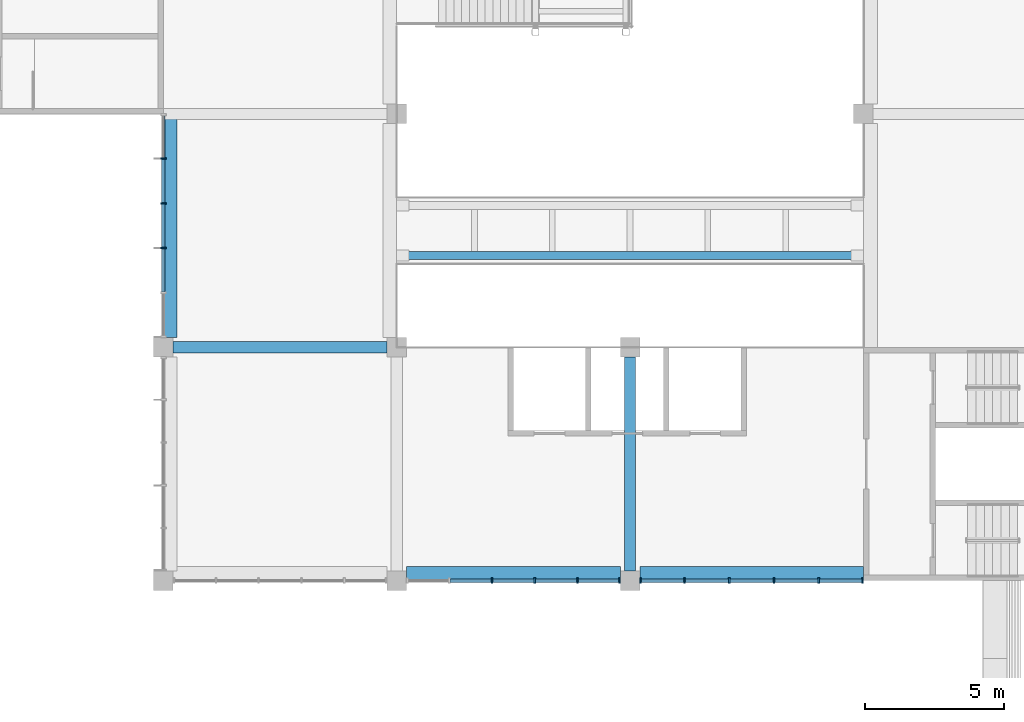
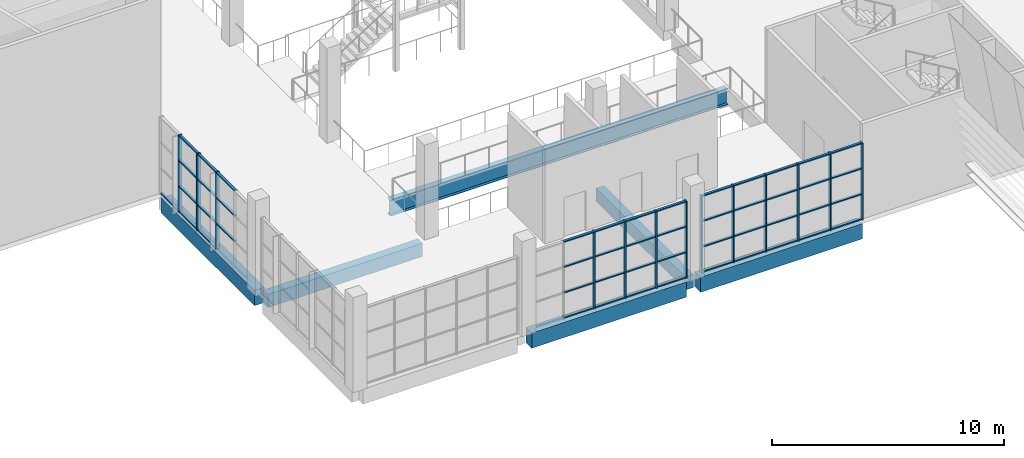
# One storey, part 6 of 82: 61 members, 6 beams, 3 elements without a shape of their own.
"""IFC4 building model written with IfcOpenShell, lengths in metres."""

from ifc_helpers import new_model, si_unit, direction, frame, origin, origin_2d, place, context, subcontext, project, spatial, rectangle, i_section, extrude, material, material_profile, profile_set, type_object, element, aggregate, save


model = new_model("IFC4")

# Units and contexts
model_context = context("Model", 3, precision=1e-05, world=origin(), true_north=direction((0.0, 1.0)))
body_context = subcontext(model_context, "Body", "Model", "MODEL_VIEW")
ifc_project = project(units=[si_unit("LENGTHUNIT", "METRE"), si_unit("AREAUNIT", "SQUARE_METRE"), si_unit("VOLUMEUNIT", "CUBIC_METRE"), si_unit("PLANEANGLEUNIT", "RADIAN"), si_unit("MASSUNIT", "GRAM", prefix="KILO")], contexts=[model_context])

# Site, building, storey
site_placement = place(None, origin())
site = spatial("IfcSite", under=ifc_project, at=site_placement, CompositionType="ELEMENT")
building_placement = place(site_placement, origin())
building = spatial("IfcBuilding", under=site, at=building_placement, Name="Almond Square Museum", CompositionType="ELEMENT")
storey_placement = place(building_placement, frame((0.0, 0.0, 20.0)))
storey = spatial("IfcBuildingStorey", under=building, at=storey_placement, Name="L03", CompositionType="ELEMENT", Elevation=20.0)

# Curtain wall, members
ifc_material_1 = material(Name="Aluminium and laminated glass", Category="aluminium")
curtain_wall_type = type_object("IfcCurtainWallType", Name="Unitised curtain wall 1500 module", PredefinedType="NOTDEFINED", material=ifc_material_1)
curtain_wall_1_placement = place(storey_placement, origin())
curtain_wall_1 = element("IfcCurtainWall", 1, at=curtain_wall_1_placement, inside=storey, type_object=curtain_wall_type, Name="Curtain wall CW-35", PredefinedType="NOTDEFINED")
ifc_material_2 = material(Name="Anodised aluminium", Category="aluminium")
ifc_material_profile_1 = material_profile(ifc_material_2, rectangle(XDim=0.199951171875, YDim=0.06005859375, at=origin_2d()))
ifc_profile_set_1 = profile_set([ifc_material_profile_1], Name="Anodised aluminium")
member_type_1 = type_object("IfcMemberType", Name="Aluminium mullion 60 x 200", PredefinedType="MULLION", material=ifc_profile_set_1)
member_1_placement = place(storey_placement, frame((73.199951171875, 79.169921875, 0.0), z_axis=(0.0, 0.0, 1.0), x_axis=(-1.0, 0.0, 0.0)))
member_1 = element("IfcMember", 2, at=member_1_placement, type_object=member_type_1, Name="CW-35 mullion 3", PredefinedType="MULLION", context=body_context, shape_type="SweptSolid", body=[
    extrude(rectangle(XDim=0.199951171875, YDim=0.06005859375, at=origin_2d()), origin(), (0.0, 0.0, 1.0), 4.050048828125),
])
member_2_placement = place(storey_placement, frame((73.199951171875, 80.780029296875, 0.0), z_axis=(0.0, 0.0, 1.0), x_axis=(-1.0, 0.0, 0.0)))
member_2 = element("IfcMember", 3, at=member_2_placement, type_object=member_type_1, Name="CW-35 mullion 4", PredefinedType="MULLION", context=body_context, shape_type="SweptSolid", body=[
    extrude(rectangle(XDim=0.199951171875, YDim=0.06005859375, at=origin_2d()), origin(), (0.0, 0.0, 1.0), 4.050048828125),
])
member_3_placement = place(storey_placement, frame((73.199951171875, 82.389892578125, 0.0), z_axis=(0.0, 0.0, 1.0), x_axis=(-1.0, 0.0, 0.0)))
member_3 = element("IfcMember", 4, at=member_3_placement, type_object=member_type_1, Name="CW-35 mullion 5", PredefinedType="MULLION", context=body_context, shape_type="SweptSolid", body=[
    extrude(rectangle(XDim=0.199951171875, YDim=0.06005859375, at=origin_2d()), origin(), (0.0, 0.0, 1.0), 4.050048828125),
])

curtain_wall_2_placement = place(storey_placement, origin())
curtain_wall_2 = element("IfcCurtainWall", 5, at=curtain_wall_2_placement, inside=storey, type_object=curtain_wall_type, Name="Curtain wall CW-38", PredefinedType="NOTDEFINED")
member_4_placement = place(storey_placement, frame((85.030029296875, 67.199951171875, 0.0), z_axis=(0.0, 0.0, 1.0), x_axis=(0.0, 1.0, 0.0)))
member_4 = element("IfcMember", 6, at=member_4_placement, type_object=member_type_1, Name="CW-38 mullion 3", PredefinedType="MULLION", context=body_context, shape_type="SweptSolid", body=[
    extrude(rectangle(XDim=0.199951171875, YDim=0.06005859375, at=origin_2d()), origin(), (0.0, 0.0, 1.0), 4.050048828125),
])
member_5_placement = place(storey_placement, frame((86.570068359375, 67.199951171875, 0.0), z_axis=(0.0, 0.0, 1.0), x_axis=(0.0, 1.0, 0.0)))
member_5 = element("IfcMember", 7, at=member_5_placement, type_object=member_type_1, Name="CW-38 mullion 4", PredefinedType="MULLION", context=body_context, shape_type="SweptSolid", body=[
    extrude(rectangle(XDim=0.199951171875, YDim=0.06005859375, at=origin_2d()), origin(), (0.0, 0.0, 1.0), 4.050048828125),
])
member_6_placement = place(storey_placement, frame((88.110107421875, 67.199951171875, 0.0), z_axis=(0.0, 0.0, 1.0), x_axis=(0.0, 1.0, 0.0)))
member_6 = element("IfcMember", 8, at=member_6_placement, type_object=member_type_1, Name="CW-38 mullion 5", PredefinedType="MULLION", context=body_context, shape_type="SweptSolid", body=[
    extrude(rectangle(XDim=0.199951171875, YDim=0.06005859375, at=origin_2d()), origin(), (0.0, 0.0, 1.0), 4.050048828125),
])
member_7_placement = place(storey_placement, frame((89.6201171875, 67.199951171875, 0.0), z_axis=(0.0, 0.0, 1.0), x_axis=(0.0, 1.0, 0.0)))
member_7 = element("IfcMember", 9, at=member_7_placement, type_object=member_type_1, Name="CW-38 mullion 6", PredefinedType="MULLION", context=body_context, shape_type="SweptSolid", body=[
    extrude(rectangle(XDim=0.199951171875, YDim=0.06005859375, at=origin_2d()), origin(), (0.0, 0.0, 1.0), 4.050048828125),
])

curtain_wall_3_placement = place(storey_placement, origin())
curtain_wall_3 = element("IfcCurtainWall", 10, at=curtain_wall_3_placement, inside=storey, type_object=curtain_wall_type, Name="Curtain wall CW-39", PredefinedType="NOTDEFINED")
member_8_placement = place(storey_placement, frame((90.3798828125, 67.199951171875, 0.0), z_axis=(0.0, 0.0, 1.0), x_axis=(0.0, 1.0, 0.0)))
member_8 = element("IfcMember", 11, at=member_8_placement, type_object=member_type_1, Name="CW-39 mullion 1", PredefinedType="MULLION", context=body_context, shape_type="SweptSolid", body=[
    extrude(rectangle(XDim=0.199951171875, YDim=0.06005859375, at=origin_2d()), origin(), (0.0, 0.0, 1.0), 4.050048828125),
])
member_9_placement = place(storey_placement, frame((91.9599609375, 67.199951171875, 0.0), z_axis=(0.0, 0.0, 1.0), x_axis=(0.0, 1.0, 0.0)))
member_9 = element("IfcMember", 12, at=member_9_placement, type_object=member_type_1, Name="CW-39 mullion 2", PredefinedType="MULLION", context=body_context, shape_type="SweptSolid", body=[
    extrude(rectangle(XDim=0.199951171875, YDim=0.06005859375, at=origin_2d()), origin(), (0.0, 0.0, 1.0), 4.050048828125),
])
member_10_placement = place(storey_placement, frame((93.570068359375, 67.199951171875, 0.0), z_axis=(0.0, 0.0, 1.0), x_axis=(0.0, 1.0, 0.0)))
member_10 = element("IfcMember", 13, at=member_10_placement, type_object=member_type_1, Name="CW-39 mullion 3", PredefinedType="MULLION", context=body_context, shape_type="SweptSolid", body=[
    extrude(rectangle(XDim=0.199951171875, YDim=0.06005859375, at=origin_2d()), origin(), (0.0, 0.0, 1.0), 4.050048828125),
])
member_11_placement = place(storey_placement, frame((95.179931640625, 67.199951171875, 0.0), z_axis=(0.0, 0.0, 1.0), x_axis=(0.0, 1.0, 0.0)))
member_11 = element("IfcMember", 14, at=member_11_placement, type_object=member_type_1, Name="CW-39 mullion 4", PredefinedType="MULLION", context=body_context, shape_type="SweptSolid", body=[
    extrude(rectangle(XDim=0.199951171875, YDim=0.06005859375, at=origin_2d()), origin(), (0.0, 0.0, 1.0), 4.050048828125),
])
member_12_placement = place(storey_placement, frame((96.7900390625, 67.199951171875, 0.0), z_axis=(0.0, 0.0, 1.0), x_axis=(0.0, 1.0, 0.0)))
member_12 = element("IfcMember", 15, at=member_12_placement, type_object=member_type_1, Name="CW-39 mullion 5", PredefinedType="MULLION", context=body_context, shape_type="SweptSolid", body=[
    extrude(rectangle(XDim=0.199951171875, YDim=0.06005859375, at=origin_2d()), origin(), (0.0, 0.0, 1.0), 4.050048828125),
])
member_13_placement = place(storey_placement, frame((98.3701171875, 67.199951171875, 0.0), z_axis=(0.0, 0.0, 1.0), x_axis=(0.0, 1.0, 0.0)))
member_13 = element("IfcMember", 16, at=member_13_placement, type_object=member_type_1, Name="CW-39 mullion 6", PredefinedType="MULLION", context=body_context, shape_type="SweptSolid", body=[
    extrude(rectangle(XDim=0.199951171875, YDim=0.06005859375, at=origin_2d()), origin(), (0.0, 0.0, 1.0), 4.050048828125),
])

# Member
ifc_material_3 = material(Name="Anodised aluminium", Category="aluminium")
ifc_material_profile_2 = material_profile(ifc_material_3, rectangle(XDim=0.1201171875, YDim=0.06005859375, at=origin_2d()))
ifc_profile_set_2 = profile_set([ifc_material_profile_2], Name="Anodised aluminium")
member_type_2 = type_object("IfcMemberType", Name="Aluminium transom 60 x 120", PredefinedType="USERDEFINED", material=ifc_profile_set_2)
member_14_placement = place(storey_placement, frame((73.199951171875, 77.590087890625, 1.35009765625), z_axis=(0.0, 1.0, 0.0), x_axis=(-1.0, 0.0, 0.0)))
member_14 = element("IfcMember", 17, at=member_14_placement, type_object=member_type_2, Name="CW-35 transom 2.2", ObjectType="TRANSOM", PredefinedType="USERDEFINED", context=body_context, shape_type="SweptSolid", body=[
    extrude(rectangle(XDim=0.1201171875, YDim=0.06005859375, at=origin_2d()), origin(), (0.0, 0.0, 1.0), 1.5498046875),
])

member_15_placement = place(storey_placement, frame((73.199951171875, 77.590087890625, 2.699951171875), z_axis=(0.0, 1.0, 0.0), x_axis=(-1.0, 0.0, 0.0)))
member_15 = element("IfcMember", 18, at=member_15_placement, type_object=member_type_2, Name="CW-35 transom 2.3", ObjectType="TRANSOM", PredefinedType="USERDEFINED", context=body_context, shape_type="SweptSolid", body=[
    extrude(rectangle(XDim=0.1201171875, YDim=0.06005859375, at=origin_2d()), origin(), (0.0, 0.0, 1.0), 1.5498046875),
])

member_16_placement = place(storey_placement, frame((73.199951171875, 77.590087890625, 4.02001953125), z_axis=(0.0, 1.0, 0.0), x_axis=(-1.0, 0.0, 0.0)))
member_16 = element("IfcMember", 19, at=member_16_placement, type_object=member_type_2, Name="CW-35 transom 2.4", ObjectType="TRANSOM", PredefinedType="USERDEFINED", context=body_context, shape_type="SweptSolid", body=[
    extrude(rectangle(XDim=0.1201171875, YDim=0.06005859375, at=origin_2d()), origin(), (0.0, 0.0, 1.0), 1.5498046875),
])

member_17_placement = place(storey_placement, frame((73.199951171875, 79.199951171875, 0.030029296875), z_axis=(0.0, 1.0, 0.0), x_axis=(-1.0, 0.0, 0.0)))
member_17 = element("IfcMember", 20, at=member_17_placement, type_object=member_type_2, Name="CW-35 transom 3.1", ObjectType="TRANSOM", PredefinedType="USERDEFINED", context=body_context, shape_type="SweptSolid", body=[
    extrude(rectangle(XDim=0.1201171875, YDim=0.06005859375, at=origin_2d()), origin(), (0.0, 0.0, 1.0), 1.550048828125),
])

member_18_placement = place(storey_placement, frame((73.199951171875, 79.199951171875, 1.35009765625), z_axis=(0.0, 1.0, 0.0), x_axis=(-1.0, 0.0, 0.0)))
member_18 = element("IfcMember", 21, at=member_18_placement, type_object=member_type_2, Name="CW-35 transom 3.2", ObjectType="TRANSOM", PredefinedType="USERDEFINED", context=body_context, shape_type="SweptSolid", body=[
    extrude(rectangle(XDim=0.1201171875, YDim=0.06005859375, at=origin_2d()), origin(), (0.0, 0.0, 1.0), 1.550048828125),
])

member_19_placement = place(storey_placement, frame((73.199951171875, 79.199951171875, 2.699951171875), z_axis=(0.0, 1.0, 0.0), x_axis=(-1.0, 0.0, 0.0)))
member_19 = element("IfcMember", 22, at=member_19_placement, type_object=member_type_2, Name="CW-35 transom 3.3", ObjectType="TRANSOM", PredefinedType="USERDEFINED", context=body_context, shape_type="SweptSolid", body=[
    extrude(rectangle(XDim=0.1201171875, YDim=0.06005859375, at=origin_2d()), origin(), (0.0, 0.0, 1.0), 1.550048828125),
])

member_20_placement = place(storey_placement, frame((73.199951171875, 79.199951171875, 4.02001953125), z_axis=(0.0, 1.0, 0.0), x_axis=(-1.0, 0.0, 0.0)))
member_20 = element("IfcMember", 23, at=member_20_placement, type_object=member_type_2, Name="CW-35 transom 3.4", ObjectType="TRANSOM", PredefinedType="USERDEFINED", context=body_context, shape_type="SweptSolid", body=[
    extrude(rectangle(XDim=0.1201171875, YDim=0.06005859375, at=origin_2d()), origin(), (0.0, 0.0, 1.0), 1.550048828125),
])

member_21_placement = place(storey_placement, frame((73.199951171875, 80.81005859375, 0.030029296875), z_axis=(0.0, 1.0, 0.0), x_axis=(-1.0, 0.0, 0.0)))
member_21 = element("IfcMember", 24, at=member_21_placement, type_object=member_type_2, Name="CW-35 transom 4.1", ObjectType="TRANSOM", PredefinedType="USERDEFINED", context=body_context, shape_type="SweptSolid", body=[
    extrude(rectangle(XDim=0.1201171875, YDim=0.06005859375, at=origin_2d()), origin(), (0.0, 0.0, 1.0), 1.550048828125),
])

member_22_placement = place(storey_placement, frame((73.199951171875, 80.81005859375, 1.35009765625), z_axis=(0.0, 1.0, 0.0), x_axis=(-1.0, 0.0, 0.0)))
member_22 = element("IfcMember", 25, at=member_22_placement, type_object=member_type_2, Name="CW-35 transom 4.2", ObjectType="TRANSOM", PredefinedType="USERDEFINED", context=body_context, shape_type="SweptSolid", body=[
    extrude(rectangle(XDim=0.1201171875, YDim=0.06005859375, at=origin_2d()), origin(), (0.0, 0.0, 1.0), 1.550048828125),
])

member_23_placement = place(storey_placement, frame((73.199951171875, 80.81005859375, 2.699951171875), z_axis=(0.0, 1.0, 0.0), x_axis=(-1.0, 0.0, 0.0)))
member_23 = element("IfcMember", 26, at=member_23_placement, type_object=member_type_2, Name="CW-35 transom 4.3", ObjectType="TRANSOM", PredefinedType="USERDEFINED", context=body_context, shape_type="SweptSolid", body=[
    extrude(rectangle(XDim=0.1201171875, YDim=0.06005859375, at=origin_2d()), origin(), (0.0, 0.0, 1.0), 1.550048828125),
])

member_24_placement = place(storey_placement, frame((73.199951171875, 80.81005859375, 4.02001953125), z_axis=(0.0, 1.0, 0.0), x_axis=(-1.0, 0.0, 0.0)))
member_24 = element("IfcMember", 27, at=member_24_placement, type_object=member_type_2, Name="CW-35 transom 4.4", ObjectType="TRANSOM", PredefinedType="USERDEFINED", context=body_context, shape_type="SweptSolid", body=[
    extrude(rectangle(XDim=0.1201171875, YDim=0.06005859375, at=origin_2d()), origin(), (0.0, 0.0, 1.0), 1.550048828125),
])

member_25_placement = place(storey_placement, frame((73.199951171875, 82.419921875, 0.030029296875), z_axis=(0.0, 1.0, 0.0), x_axis=(-1.0, 0.0, 0.0)))
member_25 = element("IfcMember", 28, at=member_25_placement, type_object=member_type_2, Name="CW-35 transom 5.1", ObjectType="TRANSOM", PredefinedType="USERDEFINED", context=body_context, shape_type="SweptSolid", body=[
    extrude(rectangle(XDim=0.1201171875, YDim=0.06005859375, at=origin_2d()), origin(), (0.0, 0.0, 1.0), 1.52001953125),
])

aggregate(curtain_wall_1, [member_1, member_2, member_3, member_14, member_15, member_16, member_17, member_18, member_19, member_20, member_21, member_22, member_23, member_24, member_25])

member_26_placement = place(storey_placement, frame((83.52001953125, 67.199951171875, 0.030029296875), z_axis=(1.0, 0.0, 0.0), x_axis=(0.0, 1.0, 0.0)))
member_26 = element("IfcMember", 29, at=member_26_placement, type_object=member_type_2, Name="CW-38 transom 2.1", ObjectType="TRANSOM", PredefinedType="USERDEFINED", context=body_context, shape_type="SweptSolid", body=[
    extrude(rectangle(XDim=0.1201171875, YDim=0.06005859375, at=origin_2d()), origin(), (0.0, 0.0, 1.0), 1.47998046875),
])

member_27_placement = place(storey_placement, frame((83.52001953125, 67.199951171875, 1.35009765625), z_axis=(1.0, 0.0, 0.0), x_axis=(0.0, 1.0, 0.0)))
member_27 = element("IfcMember", 30, at=member_27_placement, type_object=member_type_2, Name="CW-38 transom 2.2", ObjectType="TRANSOM", PredefinedType="USERDEFINED", context=body_context, shape_type="SweptSolid", body=[
    extrude(rectangle(XDim=0.1201171875, YDim=0.06005859375, at=origin_2d()), origin(), (0.0, 0.0, 1.0), 1.47998046875),
])

member_28_placement = place(storey_placement, frame((83.52001953125, 67.199951171875, 2.699951171875), z_axis=(1.0, 0.0, 0.0), x_axis=(0.0, 1.0, 0.0)))
member_28 = element("IfcMember", 31, at=member_28_placement, type_object=member_type_2, Name="CW-38 transom 2.3", ObjectType="TRANSOM", PredefinedType="USERDEFINED", context=body_context, shape_type="SweptSolid", body=[
    extrude(rectangle(XDim=0.1201171875, YDim=0.06005859375, at=origin_2d()), origin(), (0.0, 0.0, 1.0), 1.47998046875),
])

member_29_placement = place(storey_placement, frame((83.52001953125, 67.199951171875, 4.02001953125), z_axis=(1.0, 0.0, 0.0), x_axis=(0.0, 1.0, 0.0)))
member_29 = element("IfcMember", 32, at=member_29_placement, type_object=member_type_2, Name="CW-38 transom 2.4", ObjectType="TRANSOM", PredefinedType="USERDEFINED", context=body_context, shape_type="SweptSolid", body=[
    extrude(rectangle(XDim=0.1201171875, YDim=0.06005859375, at=origin_2d()), origin(), (0.0, 0.0, 1.0), 1.47998046875),
])

member_30_placement = place(storey_placement, frame((85.06005859375, 67.199951171875, 0.030029296875), z_axis=(1.0, 0.0, 0.0), x_axis=(0.0, 1.0, 0.0)))
member_30 = element("IfcMember", 33, at=member_30_placement, type_object=member_type_2, Name="CW-38 transom 3.1", ObjectType="TRANSOM", PredefinedType="USERDEFINED", context=body_context, shape_type="SweptSolid", body=[
    extrude(rectangle(XDim=0.1201171875, YDim=0.06005859375, at=origin_2d()), origin(), (0.0, 0.0, 1.0), 1.47998046875),
])

member_31_placement = place(storey_placement, frame((85.06005859375, 67.199951171875, 1.35009765625), z_axis=(1.0, 0.0, 0.0), x_axis=(0.0, 1.0, 0.0)))
member_31 = element("IfcMember", 34, at=member_31_placement, type_object=member_type_2, Name="CW-38 transom 3.2", ObjectType="TRANSOM", PredefinedType="USERDEFINED", context=body_context, shape_type="SweptSolid", body=[
    extrude(rectangle(XDim=0.1201171875, YDim=0.06005859375, at=origin_2d()), origin(), (0.0, 0.0, 1.0), 1.47998046875),
])

member_32_placement = place(storey_placement, frame((85.06005859375, 67.199951171875, 2.699951171875), z_axis=(1.0, 0.0, 0.0), x_axis=(0.0, 1.0, 0.0)))
member_32 = element("IfcMember", 35, at=member_32_placement, type_object=member_type_2, Name="CW-38 transom 3.3", ObjectType="TRANSOM", PredefinedType="USERDEFINED", context=body_context, shape_type="SweptSolid", body=[
    extrude(rectangle(XDim=0.1201171875, YDim=0.06005859375, at=origin_2d()), origin(), (0.0, 0.0, 1.0), 1.47998046875),
])

member_33_placement = place(storey_placement, frame((85.06005859375, 67.199951171875, 4.02001953125), z_axis=(1.0, 0.0, 0.0), x_axis=(0.0, 1.0, 0.0)))
member_33 = element("IfcMember", 36, at=member_33_placement, type_object=member_type_2, Name="CW-38 transom 3.4", ObjectType="TRANSOM", PredefinedType="USERDEFINED", context=body_context, shape_type="SweptSolid", body=[
    extrude(rectangle(XDim=0.1201171875, YDim=0.06005859375, at=origin_2d()), origin(), (0.0, 0.0, 1.0), 1.47998046875),
])

member_34_placement = place(storey_placement, frame((86.60009765625, 67.199951171875, 0.030029296875), z_axis=(1.0, 0.0, 0.0), x_axis=(0.0, 1.0, 0.0)))
member_34 = element("IfcMember", 37, at=member_34_placement, type_object=member_type_2, Name="CW-38 transom 4.1", ObjectType="TRANSOM", PredefinedType="USERDEFINED", context=body_context, shape_type="SweptSolid", body=[
    extrude(rectangle(XDim=0.1201171875, YDim=0.06005859375, at=origin_2d()), origin(), (0.0, 0.0, 1.0), 1.47998046875),
])

member_35_placement = place(storey_placement, frame((86.60009765625, 67.199951171875, 1.35009765625), z_axis=(1.0, 0.0, 0.0), x_axis=(0.0, 1.0, 0.0)))
member_35 = element("IfcMember", 38, at=member_35_placement, type_object=member_type_2, Name="CW-38 transom 4.2", ObjectType="TRANSOM", PredefinedType="USERDEFINED", context=body_context, shape_type="SweptSolid", body=[
    extrude(rectangle(XDim=0.1201171875, YDim=0.06005859375, at=origin_2d()), origin(), (0.0, 0.0, 1.0), 1.47998046875),
])

member_36_placement = place(storey_placement, frame((86.60009765625, 67.199951171875, 2.699951171875), z_axis=(1.0, 0.0, 0.0), x_axis=(0.0, 1.0, 0.0)))
member_36 = element("IfcMember", 39, at=member_36_placement, type_object=member_type_2, Name="CW-38 transom 4.3", ObjectType="TRANSOM", PredefinedType="USERDEFINED", context=body_context, shape_type="SweptSolid", body=[
    extrude(rectangle(XDim=0.1201171875, YDim=0.06005859375, at=origin_2d()), origin(), (0.0, 0.0, 1.0), 1.47998046875),
])

member_37_placement = place(storey_placement, frame((86.60009765625, 67.199951171875, 4.02001953125), z_axis=(1.0, 0.0, 0.0), x_axis=(0.0, 1.0, 0.0)))
member_37 = element("IfcMember", 40, at=member_37_placement, type_object=member_type_2, Name="CW-38 transom 4.4", ObjectType="TRANSOM", PredefinedType="USERDEFINED", context=body_context, shape_type="SweptSolid", body=[
    extrude(rectangle(XDim=0.1201171875, YDim=0.06005859375, at=origin_2d()), origin(), (0.0, 0.0, 1.0), 1.47998046875),
])

member_38_placement = place(storey_placement, frame((88.139892578125, 67.199951171875, 0.030029296875), z_axis=(1.0, 0.0, 0.0), x_axis=(0.0, 1.0, 0.0)))
member_38 = element("IfcMember", 41, at=member_38_placement, type_object=member_type_2, Name="CW-38 transom 5.1", ObjectType="TRANSOM", PredefinedType="USERDEFINED", context=body_context, shape_type="SweptSolid", body=[
    extrude(rectangle(XDim=0.1201171875, YDim=0.06005859375, at=origin_2d()), origin(), (0.0, 0.0, 1.0), 1.4501953125),
])

member_39_placement = place(storey_placement, frame((88.139892578125, 67.199951171875, 1.35009765625), z_axis=(1.0, 0.0, 0.0), x_axis=(0.0, 1.0, 0.0)))
member_39 = element("IfcMember", 42, at=member_39_placement, type_object=member_type_2, Name="CW-38 transom 5.2", ObjectType="TRANSOM", PredefinedType="USERDEFINED", context=body_context, shape_type="SweptSolid", body=[
    extrude(rectangle(XDim=0.1201171875, YDim=0.06005859375, at=origin_2d()), origin(), (0.0, 0.0, 1.0), 1.4501953125),
])

member_40_placement = place(storey_placement, frame((88.139892578125, 67.199951171875, 2.699951171875), z_axis=(1.0, 0.0, 0.0), x_axis=(0.0, 1.0, 0.0)))
member_40 = element("IfcMember", 43, at=member_40_placement, type_object=member_type_2, Name="CW-38 transom 5.3", ObjectType="TRANSOM", PredefinedType="USERDEFINED", context=body_context, shape_type="SweptSolid", body=[
    extrude(rectangle(XDim=0.1201171875, YDim=0.06005859375, at=origin_2d()), origin(), (0.0, 0.0, 1.0), 1.4501953125),
])

member_41_placement = place(storey_placement, frame((88.139892578125, 67.199951171875, 4.02001953125), z_axis=(1.0, 0.0, 0.0), x_axis=(0.0, 1.0, 0.0)))
member_41 = element("IfcMember", 44, at=member_41_placement, type_object=member_type_2, Name="CW-38 transom 5.4", ObjectType="TRANSOM", PredefinedType="USERDEFINED", context=body_context, shape_type="SweptSolid", body=[
    extrude(rectangle(XDim=0.1201171875, YDim=0.06005859375, at=origin_2d()), origin(), (0.0, 0.0, 1.0), 1.4501953125),
])

aggregate(curtain_wall_2, [member_4, member_5, member_6, member_7, member_26, member_27, member_28, member_29, member_30, member_31, member_32, member_33, member_34, member_35, member_36, member_37, member_38, member_39, member_40, member_41])

member_42_placement = place(storey_placement, frame((90.409912109375, 67.199951171875, 0.030029296875), z_axis=(1.0, 0.0, 0.0), x_axis=(0.0, 1.0, 0.0)))
member_42 = element("IfcMember", 45, at=member_42_placement, type_object=member_type_2, Name="CW-39 transom 1.1", ObjectType="TRANSOM", PredefinedType="USERDEFINED", context=body_context, shape_type="SweptSolid", body=[
    extrude(rectangle(XDim=0.1201171875, YDim=0.06005859375, at=origin_2d()), origin(), (0.0, 0.0, 1.0), 1.52001953125),
])

member_43_placement = place(storey_placement, frame((90.409912109375, 67.199951171875, 1.35009765625), z_axis=(1.0, 0.0, 0.0), x_axis=(0.0, 1.0, 0.0)))
member_43 = element("IfcMember", 46, at=member_43_placement, type_object=member_type_2, Name="CW-39 transom 1.2", ObjectType="TRANSOM", PredefinedType="USERDEFINED", context=body_context, shape_type="SweptSolid", body=[
    extrude(rectangle(XDim=0.1201171875, YDim=0.06005859375, at=origin_2d()), origin(), (0.0, 0.0, 1.0), 1.52001953125),
])

member_44_placement = place(storey_placement, frame((90.409912109375, 67.199951171875, 2.699951171875), z_axis=(1.0, 0.0, 0.0), x_axis=(0.0, 1.0, 0.0)))
member_44 = element("IfcMember", 47, at=member_44_placement, type_object=member_type_2, Name="CW-39 transom 1.3", ObjectType="TRANSOM", PredefinedType="USERDEFINED", context=body_context, shape_type="SweptSolid", body=[
    extrude(rectangle(XDim=0.1201171875, YDim=0.06005859375, at=origin_2d()), origin(), (0.0, 0.0, 1.0), 1.52001953125),
])

member_45_placement = place(storey_placement, frame((90.409912109375, 67.199951171875, 4.02001953125), z_axis=(1.0, 0.0, 0.0), x_axis=(0.0, 1.0, 0.0)))
member_45 = element("IfcMember", 48, at=member_45_placement, type_object=member_type_2, Name="CW-39 transom 1.4", ObjectType="TRANSOM", PredefinedType="USERDEFINED", context=body_context, shape_type="SweptSolid", body=[
    extrude(rectangle(XDim=0.1201171875, YDim=0.06005859375, at=origin_2d()), origin(), (0.0, 0.0, 1.0), 1.52001953125),
])

member_46_placement = place(storey_placement, frame((91.989990234375, 67.199951171875, 0.030029296875), z_axis=(1.0, 0.0, 0.0), x_axis=(0.0, 1.0, 0.0)))
member_46 = element("IfcMember", 49, at=member_46_placement, type_object=member_type_2, Name="CW-39 transom 2.1", ObjectType="TRANSOM", PredefinedType="USERDEFINED", context=body_context, shape_type="SweptSolid", body=[
    extrude(rectangle(XDim=0.1201171875, YDim=0.06005859375, at=origin_2d()), origin(), (0.0, 0.0, 1.0), 1.550048828125),
])

member_47_placement = place(storey_placement, frame((91.989990234375, 67.199951171875, 1.35009765625), z_axis=(1.0, 0.0, 0.0), x_axis=(0.0, 1.0, 0.0)))
member_47 = element("IfcMember", 50, at=member_47_placement, type_object=member_type_2, Name="CW-39 transom 2.2", ObjectType="TRANSOM", PredefinedType="USERDEFINED", context=body_context, shape_type="SweptSolid", body=[
    extrude(rectangle(XDim=0.1201171875, YDim=0.06005859375, at=origin_2d()), origin(), (0.0, 0.0, 1.0), 1.550048828125),
])

member_48_placement = place(storey_placement, frame((91.989990234375, 67.199951171875, 2.699951171875), z_axis=(1.0, 0.0, 0.0), x_axis=(0.0, 1.0, 0.0)))
member_48 = element("IfcMember", 51, at=member_48_placement, type_object=member_type_2, Name="CW-39 transom 2.3", ObjectType="TRANSOM", PredefinedType="USERDEFINED", context=body_context, shape_type="SweptSolid", body=[
    extrude(rectangle(XDim=0.1201171875, YDim=0.06005859375, at=origin_2d()), origin(), (0.0, 0.0, 1.0), 1.550048828125),
])

member_49_placement = place(storey_placement, frame((91.989990234375, 67.199951171875, 4.02001953125), z_axis=(1.0, 0.0, 0.0), x_axis=(0.0, 1.0, 0.0)))
member_49 = element("IfcMember", 52, at=member_49_placement, type_object=member_type_2, Name="CW-39 transom 2.4", ObjectType="TRANSOM", PredefinedType="USERDEFINED", context=body_context, shape_type="SweptSolid", body=[
    extrude(rectangle(XDim=0.1201171875, YDim=0.06005859375, at=origin_2d()), origin(), (0.0, 0.0, 1.0), 1.550048828125),
])

member_50_placement = place(storey_placement, frame((93.60009765625, 67.199951171875, 0.030029296875), z_axis=(1.0, 0.0, 0.0), x_axis=(0.0, 1.0, 0.0)))
member_50 = element("IfcMember", 53, at=member_50_placement, type_object=member_type_2, Name="CW-39 transom 3.1", ObjectType="TRANSOM", PredefinedType="USERDEFINED", context=body_context, shape_type="SweptSolid", body=[
    extrude(rectangle(XDim=0.1201171875, YDim=0.06005859375, at=origin_2d()), origin(), (0.0, 0.0, 1.0), 1.5498046875),
])

member_51_placement = place(storey_placement, frame((93.60009765625, 67.199951171875, 1.35009765625), z_axis=(1.0, 0.0, 0.0), x_axis=(0.0, 1.0, 0.0)))
member_51 = element("IfcMember", 54, at=member_51_placement, type_object=member_type_2, Name="CW-39 transom 3.2", ObjectType="TRANSOM", PredefinedType="USERDEFINED", context=body_context, shape_type="SweptSolid", body=[
    extrude(rectangle(XDim=0.1201171875, YDim=0.06005859375, at=origin_2d()), origin(), (0.0, 0.0, 1.0), 1.5498046875),
])

member_52_placement = place(storey_placement, frame((93.60009765625, 67.199951171875, 2.699951171875), z_axis=(1.0, 0.0, 0.0), x_axis=(0.0, 1.0, 0.0)))
member_52 = element("IfcMember", 55, at=member_52_placement, type_object=member_type_2, Name="CW-39 transom 3.3", ObjectType="TRANSOM", PredefinedType="USERDEFINED", context=body_context, shape_type="SweptSolid", body=[
    extrude(rectangle(XDim=0.1201171875, YDim=0.06005859375, at=origin_2d()), origin(), (0.0, 0.0, 1.0), 1.5498046875),
])

member_53_placement = place(storey_placement, frame((93.60009765625, 67.199951171875, 4.02001953125), z_axis=(1.0, 0.0, 0.0), x_axis=(0.0, 1.0, 0.0)))
member_53 = element("IfcMember", 56, at=member_53_placement, type_object=member_type_2, Name="CW-39 transom 3.4", ObjectType="TRANSOM", PredefinedType="USERDEFINED", context=body_context, shape_type="SweptSolid", body=[
    extrude(rectangle(XDim=0.1201171875, YDim=0.06005859375, at=origin_2d()), origin(), (0.0, 0.0, 1.0), 1.5498046875),
])

member_54_placement = place(storey_placement, frame((95.2099609375, 67.199951171875, 0.030029296875), z_axis=(1.0, 0.0, 0.0), x_axis=(0.0, 1.0, 0.0)))
member_54 = element("IfcMember", 57, at=member_54_placement, type_object=member_type_2, Name="CW-39 transom 4.1", ObjectType="TRANSOM", PredefinedType="USERDEFINED", context=body_context, shape_type="SweptSolid", body=[
    extrude(rectangle(XDim=0.1201171875, YDim=0.06005859375, at=origin_2d()), origin(), (0.0, 0.0, 1.0), 1.550048828125),
])

member_55_placement = place(storey_placement, frame((95.2099609375, 67.199951171875, 1.35009765625), z_axis=(1.0, 0.0, 0.0), x_axis=(0.0, 1.0, 0.0)))
member_55 = element("IfcMember", 58, at=member_55_placement, type_object=member_type_2, Name="CW-39 transom 4.2", ObjectType="TRANSOM", PredefinedType="USERDEFINED", context=body_context, shape_type="SweptSolid", body=[
    extrude(rectangle(XDim=0.1201171875, YDim=0.06005859375, at=origin_2d()), origin(), (0.0, 0.0, 1.0), 1.550048828125),
])

member_56_placement = place(storey_placement, frame((95.2099609375, 67.199951171875, 2.699951171875), z_axis=(1.0, 0.0, 0.0), x_axis=(0.0, 1.0, 0.0)))
member_56 = element("IfcMember", 59, at=member_56_placement, type_object=member_type_2, Name="CW-39 transom 4.3", ObjectType="TRANSOM", PredefinedType="USERDEFINED", context=body_context, shape_type="SweptSolid", body=[
    extrude(rectangle(XDim=0.1201171875, YDim=0.06005859375, at=origin_2d()), origin(), (0.0, 0.0, 1.0), 1.550048828125),
])

member_57_placement = place(storey_placement, frame((95.2099609375, 67.199951171875, 4.02001953125), z_axis=(1.0, 0.0, 0.0), x_axis=(0.0, 1.0, 0.0)))
member_57 = element("IfcMember", 60, at=member_57_placement, type_object=member_type_2, Name="CW-39 transom 4.4", ObjectType="TRANSOM", PredefinedType="USERDEFINED", context=body_context, shape_type="SweptSolid", body=[
    extrude(rectangle(XDim=0.1201171875, YDim=0.06005859375, at=origin_2d()), origin(), (0.0, 0.0, 1.0), 1.550048828125),
])

member_58_placement = place(storey_placement, frame((96.820068359375, 67.199951171875, 0.030029296875), z_axis=(1.0, 0.0, 0.0), x_axis=(0.0, 1.0, 0.0)))
member_58 = element("IfcMember", 61, at=member_58_placement, type_object=member_type_2, Name="CW-39 transom 5.1", ObjectType="TRANSOM", PredefinedType="USERDEFINED", context=body_context, shape_type="SweptSolid", body=[
    extrude(rectangle(XDim=0.1201171875, YDim=0.06005859375, at=origin_2d()), origin(), (0.0, 0.0, 1.0), 1.52001953125),
])

member_59_placement = place(storey_placement, frame((96.820068359375, 67.199951171875, 1.35009765625), z_axis=(1.0, 0.0, 0.0), x_axis=(0.0, 1.0, 0.0)))
member_59 = element("IfcMember", 62, at=member_59_placement, type_object=member_type_2, Name="CW-39 transom 5.2", ObjectType="TRANSOM", PredefinedType="USERDEFINED", context=body_context, shape_type="SweptSolid", body=[
    extrude(rectangle(XDim=0.1201171875, YDim=0.06005859375, at=origin_2d()), origin(), (0.0, 0.0, 1.0), 1.52001953125),
])

member_60_placement = place(storey_placement, frame((96.820068359375, 67.199951171875, 2.699951171875), z_axis=(1.0, 0.0, 0.0), x_axis=(0.0, 1.0, 0.0)))
member_60 = element("IfcMember", 63, at=member_60_placement, type_object=member_type_2, Name="CW-39 transom 5.3", ObjectType="TRANSOM", PredefinedType="USERDEFINED", context=body_context, shape_type="SweptSolid", body=[
    extrude(rectangle(XDim=0.1201171875, YDim=0.06005859375, at=origin_2d()), origin(), (0.0, 0.0, 1.0), 1.52001953125),
])

member_61_placement = place(storey_placement, frame((96.820068359375, 67.199951171875, 4.02001953125), z_axis=(1.0, 0.0, 0.0), x_axis=(0.0, 1.0, 0.0)))
member_61 = element("IfcMember", 64, at=member_61_placement, type_object=member_type_2, Name="CW-39 transom 5.4", ObjectType="TRANSOM", PredefinedType="USERDEFINED", context=body_context, shape_type="SweptSolid", body=[
    extrude(rectangle(XDim=0.1201171875, YDim=0.06005859375, at=origin_2d()), origin(), (0.0, 0.0, 1.0), 1.52001953125),
])

aggregate(curtain_wall_3, [member_8, member_9, member_10, member_11, member_12, member_13, member_42, member_43, member_44, member_45, member_46, member_47, member_48, member_49, member_50, member_51, member_52, member_53, member_54, member_55, member_56, member_57, member_58, member_59, member_60, member_61])

# Beams
ifc_material_4 = material(Name="Structural steel S355", Category="steel")
ifc_material_profile_3 = material_profile(ifc_material_4, i_section(OverallWidth=0.2919921875, OverallDepth=0.8359375, WebThickness=0.013916015625, FlangeThickness=0.018798828125, at=origin_2d()))
ifc_profile_set_3 = profile_set([ifc_material_profile_3], Name="Structural steel S355")
beam_type_1 = type_object("IfcBeamType", Name="Girder W840x176", PredefinedType="BEAM", material=ifc_profile_set_3)
beam_1_placement = place(storey_placement, frame((81.60009765625, 78.89990234375, -0.568115234375), z_axis=(1.0, 0.0, 0.0), x_axis=(0.0, 1.0, 0.0)))
element("IfcBeam", 65, at=beam_1_placement, inside=storey, type_object=beam_type_1, Name="Bridge 5 girder 1", PredefinedType="BEAM", context=body_context, shape_type="SweptSolid", body=[
    extrude(i_section(OverallWidth=0.2919921875, OverallDepth=0.8359375, WebThickness=0.013916015625, FlangeThickness=0.018798828125, at=origin_2d()), origin(), (0.0, 0.0, 1.0), 16.7998046875),
])
ifc_material_5 = material(Name="Concrete C40/50", Category="concrete")
ifc_material_profile_4 = material_profile(ifc_material_5, rectangle(XDim=0.39990234375, YDim=0.699951171875, at=origin_2d()))
ifc_profile_set_4 = profile_set([ifc_material_profile_4], Name="Concrete C40/50")
beam_type_2 = type_object("IfcBeamType", Name="RC beam 400 x 700 C40/50", PredefinedType="BEAM", material=ifc_profile_set_4)
for number, where, z_axis, x_axis, name in (
    (66, (73.550048828125, 75.60009765625, -0.60009765625), (1.0, 0.0, 0.0), (0.0, 1.0, 0.0), "Beam J 10-11 L03"),
    (67, (90.0, 67.550048828125, -0.60009765625), (0.0, 1.0, 0.0), (-1.0, 0.0, 0.0), "Beam 12 I-J L03"),
):
    element("IfcBeam", number, at=place(storey_placement, frame(where, z_axis=z_axis, x_axis=x_axis)), inside=storey, type_object=beam_type_2, Name=name, PredefinedType="BEAM", context=body_context, shape_type="SweptSolid", body=[
        extrude(rectangle(XDim=0.39990234375, YDim=0.699951171875, at=origin_2d()), origin(), (0.0, 0.0, 1.0), 7.699951171875),
    ])
ifc_material_6 = material(Name="Concrete C40/50", Category="concrete")
ifc_material_profile_5 = material_profile(ifc_material_6, rectangle(XDim=0.5, YDim=0.800048828125, at=origin_2d()))
ifc_profile_set_5 = profile_set([ifc_material_profile_5], Name="Concrete C40/50")
beam_type_3 = type_object("IfcBeamType", Name="RC edge beam 500 x 800 C40/50", PredefinedType="BEAM", material=ifc_profile_set_5)
beam_2_placement = place(storey_placement, frame((81.949951171875, 67.449951171875, -0.64990234375), z_axis=(1.0, 0.0, 0.0), x_axis=(0.0, 1.0, 0.0)))
element("IfcBeam", 68, at=beam_2_placement, inside=storey, type_object=beam_type_3, Name="Edge beam I 11-12 L03", PredefinedType="BEAM", context=body_context, shape_type="SweptSolid", body=[
    extrude(rectangle(XDim=0.5, YDim=0.800048828125, at=origin_2d()), origin(), (0.0, 0.0, 1.0), 7.699951171875),
])
beam_3_placement = place(storey_placement, frame((90.35009765625, 67.449951171875, -0.64990234375), z_axis=(1.0, 0.0, 0.0), x_axis=(0.0, 1.0, 0.0)))
element("IfcBeam", 69, at=beam_3_placement, inside=storey, type_object=beam_type_3, Name="Edge beam I 12-13 L03", PredefinedType="BEAM", context=body_context, shape_type="SweptSolid", body=[
    extrude(rectangle(XDim=0.5, YDim=0.800048828125, at=origin_2d()), origin(), (0.0, 0.0, 1.0), 8.0498046875),
])
beam_4_placement = place(storey_placement, frame((73.449951171875, 75.949951171875, -0.64990234375), z_axis=(0.0, 1.0, 0.0), x_axis=(-1.0, 0.0, 0.0)))
element("IfcBeam", 70, at=beam_4_placement, inside=storey, type_object=beam_type_3, Name="Edge beam 10 J-K L03", PredefinedType="BEAM", context=body_context, shape_type="SweptSolid", body=[
    extrude(rectangle(XDim=0.5, YDim=0.800048828125, at=origin_2d()), origin(), (0.0, 0.0, 1.0), 8.050048828125),
])

save(model, "model.ifc")
